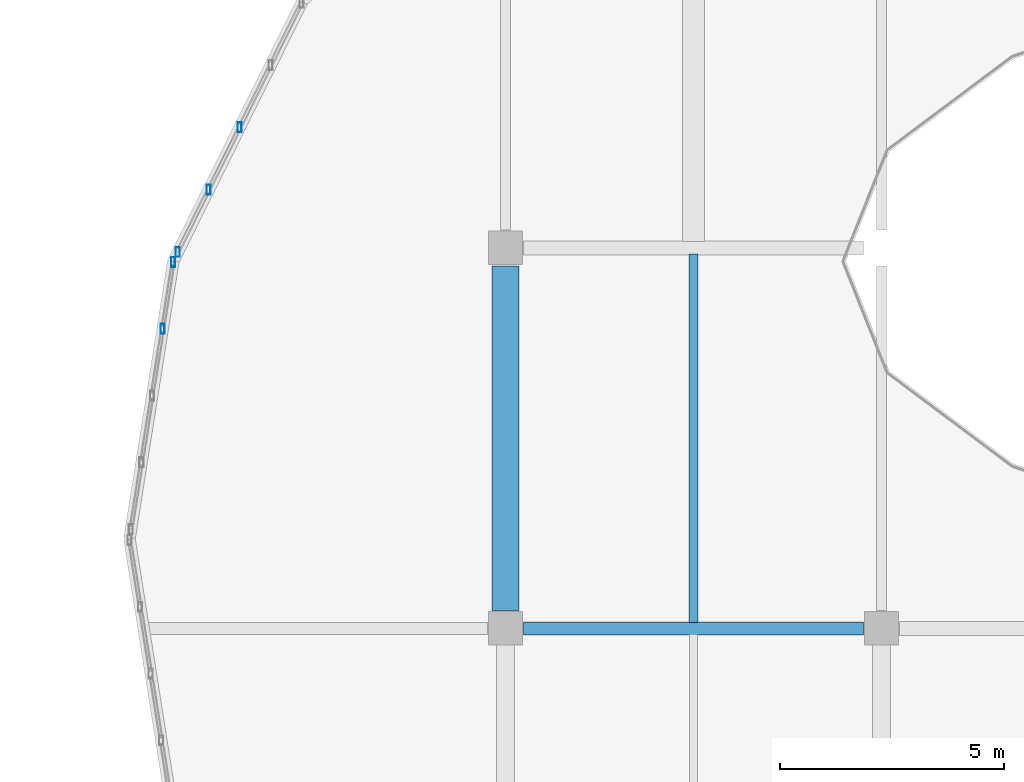
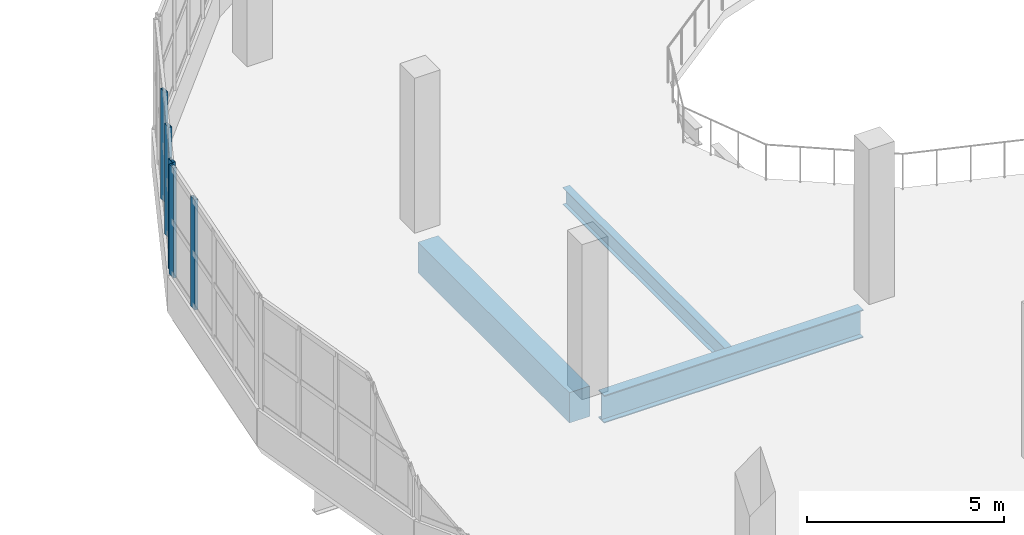
# One storey, part 15 of 117: 5 members, 3 beams, 2 elements without a shape of their own.
"""IFC4 building model written with IfcOpenShell, lengths in metres."""

from ifc_helpers import new_model, si_unit, direction, frame, origin, origin_2d, place, context, subcontext, project, spatial, rectangle, hollow_rectangle, i_section, extrude, material, material_profile, profile_set, type_object, element, aggregate, save


model = new_model("IFC4")

# Units and contexts
model_context = context("Model", 3, precision=1e-05, world=origin(), true_north=direction((0.0, 1.0)))
body_context = subcontext(model_context, "Body", "Model", "MODEL_VIEW")
ifc_project = project(units=[si_unit("LENGTHUNIT", "METRE"), si_unit("AREAUNIT", "SQUARE_METRE"), si_unit("VOLUMEUNIT", "CUBIC_METRE"), si_unit("PLANEANGLEUNIT", "RADIAN"), si_unit("MASSUNIT", "GRAM", prefix="KILO")], contexts=[model_context])

# Site, building, storey
site_placement = place(None, origin())
site = spatial("IfcSite", under=ifc_project, at=site_placement, CompositionType="ELEMENT")
building_placement = place(site_placement, origin())
building = spatial("IfcBuilding", under=site, at=building_placement, Name="Solvento Point Concert Hall", CompositionType="ELEMENT")
storey_placement = place(building_placement, frame((0.0, 0.0, 5.39990234375)))
storey = spatial("IfcBuildingStorey", under=building, at=storey_placement, Name="L01", CompositionType="ELEMENT", Elevation=5.39990234375)

# Beams
ifc_material_1 = material(Name="Structural Steel ASTM A992 Grade 50", Category="steel")
ifc_material_profile_1 = material_profile(ifc_material_1, i_section(OverallWidth=0.20947265625, OverallDepth=0.532958984375, WebThickness=0.01025390625, FlangeThickness=0.015625, at=origin_2d()), Name="W21X62")
ifc_profile_set_1 = profile_set([ifc_material_profile_1], Name="Structural Steel ASTM A992 Grade 50")
beam_type_1 = type_object("IfcBeamType", Name="Beam_W21X62", PredefinedType="BEAM", material=ifc_profile_set_1)
beam_1_placement = place(storey_placement, frame((45.0, 34.131103515625, -0.55029296875), z_axis=(0.0, 1.0, 0.0), x_axis=(-1.0, 0.0, 0.0)))
element("IfcBeam", 1, at=beam_1_placement, inside=storey, type_object=beam_type_1, Name="Secondary floor joist B-25 L01", PredefinedType="BEAM", context=body_context, shape_type="SweptSolid", body=[
    extrude(i_section(OverallWidth=0.20947265625, OverallDepth=0.532958984375, WebThickness=0.01025390625, FlangeThickness=0.015625, at=origin_2d()), origin(), (0.0, 0.0, 1.0), 8.22998046875),
])
ifc_material_2 = material(Name="Concrete C35/45", Category="concrete")
ifc_material_profile_2 = material_profile(ifc_material_2, rectangle(XDim=0.60009765625, YDim=0.93994140625, at=origin_2d()), Name="RC-BM-600X940")
ifc_profile_set_2 = profile_set([ifc_material_profile_2], Name="Concrete C35/45")
beam_type_2 = type_object("IfcBeamType", Name="Girder_RC_600x940", PredefinedType="USERDEFINED", material=ifc_profile_set_2)
beam_2_placement = place(storey_placement, frame((40.800048828125, 34.404052734375, -0.75390625), z_axis=(0.0, 1.0, 0.0), x_axis=(-1.0, 0.0, 0.0)))
element("IfcBeam", 2, at=beam_2_placement, inside=storey, type_object=beam_type_2, Name="Primary girder B-34 L01", ObjectType="GIRDER", PredefinedType="USERDEFINED", context=body_context, shape_type="SweptSolid", body=[
    extrude(rectangle(XDim=0.60009765625, YDim=0.93994140625, at=origin_2d()), origin(), (0.0, 0.0, 1.0), 7.69189453125),
])
ifc_material_3 = material(Name="Structural Steel ASTM A992 Grade 50", Category="steel")
ifc_material_profile_3 = material_profile(ifc_material_3, i_section(OverallWidth=0.2919921875, OverallDepth=0.85888671875, WebThickness=0.01708984375, FlangeThickness=0.031005859375, at=origin_2d()), Name="W33X169")
ifc_profile_set_3 = profile_set([ifc_material_profile_3], Name="Structural Steel ASTM A992 Grade 50")
beam_type_3 = type_object("IfcBeamType", Name="Girder_W33X169", PredefinedType="USERDEFINED", material=ifc_profile_set_3)
beam_3_placement = place(storey_placement, frame((41.2041015625, 34.0, -0.71337890625), z_axis=(1.0, 0.0, 0.0), x_axis=(0.0, 1.0, 0.0)))
element("IfcBeam", 3, at=beam_3_placement, inside=storey, type_object=beam_type_3, Name="Primary girder B-33 L01", ObjectType="GIRDER", PredefinedType="USERDEFINED", context=body_context, shape_type="SweptSolid", body=[
    extrude(i_section(OverallWidth=0.2919921875, OverallDepth=0.85888671875, WebThickness=0.01708984375, FlangeThickness=0.031005859375, at=origin_2d()), origin(), (0.0, 0.0, 1.0), 7.591796875),
])

# Curtain wall, members
ifc_material_4 = material(Name="Anodized Bronze Aluminium", Category="aluminium")
curtain_wall_type = type_object("IfcCurtainWallType", Name="CurtainWall_RingRibbon_L01_02", PredefinedType="USERDEFINED", material=ifc_material_4)
curtain_wall_1_placement = place(storey_placement, origin())
curtain_wall_1 = element("IfcCurtainWall", 4, at=curtain_wall_1_placement, inside=storey, type_object=curtain_wall_type, Name="Unitised curtain wall CW-59 UCW-L01-098", ObjectType="UNITISED CURTAIN WALL", PredefinedType="USERDEFINED")
ifc_material_5 = material(Name="Anodized Bronze Aluminium", Category="aluminium")
ifc_material_profile_4 = material_profile(ifc_material_5, hollow_rectangle(XDim=0.090087890625, YDim=0.219970703125, WallThickness=0.00439453125, at=origin_2d()), Name="CW-MUL-90X220")
ifc_profile_set_4 = profile_set([ifc_material_profile_4], Name="Anodized Bronze Aluminium")
member_type = type_object("IfcMemberType", Name="Mullion_90x220", PredefinedType="MULLION", material=ifc_profile_set_4)
member_1_placement = place(storey_placement, frame((33.14111328125, 40.69091796875, 1.1201171875), z_axis=(0.0, 0.0, 1.0), x_axis=(1.0, 0.0, 0.0)))
member_1 = element("IfcMember", 5, at=member_1_placement, type_object=member_type, Name="Curtain wall mullion ML-02", PredefinedType="MULLION", context=body_context, shape_type="SweptSolid", body=[
    extrude(hollow_rectangle(XDim=0.090087890625, YDim=0.219970703125, WallThickness=0.00439453125, at=origin_2d()), origin(), (0.0, 0.0, 1.0), 3.409912109375),
])
member_2_placement = place(storey_placement, frame((33.376708984375, 42.18212890625, 1.1201171875), z_axis=(0.0, 0.0, 1.0), x_axis=(1.0, 0.0, 0.0)))
member_2 = element("IfcMember", 6, at=member_2_placement, type_object=member_type, Name="Curtain wall mullion ML-02", PredefinedType="MULLION", context=body_context, shape_type="SweptSolid", body=[
    extrude(hollow_rectangle(XDim=0.090087890625, YDim=0.219970703125, WallThickness=0.00439453125, at=origin_2d()), origin(), (0.0, 0.0, 1.0), 3.409912109375),
])
aggregate(curtain_wall_1, [member_1, member_2])

curtain_wall_2_placement = place(storey_placement, origin())
curtain_wall_2 = element("IfcCurtainWall", 7, at=curtain_wall_2_placement, inside=storey, type_object=curtain_wall_type, Name="Unitised curtain wall CW-59 UCW-L01-099", ObjectType="UNITISED CURTAIN WALL", PredefinedType="USERDEFINED")
member_3_placement = place(storey_placement, frame((33.479248046875, 42.40869140625, 1.1201171875), z_axis=(0.0, 0.0, 1.0), x_axis=(1.0, 0.0, 0.0)))
member_3 = element("IfcMember", 8, at=member_3_placement, type_object=member_type, Name="Curtain wall mullion ML-02", PredefinedType="MULLION", context=body_context, shape_type="SweptSolid", body=[
    extrude(hollow_rectangle(XDim=0.090087890625, YDim=0.219970703125, WallThickness=0.00439453125, at=origin_2d()), origin(), (0.0, 0.0, 1.0), 3.409912109375),
])
member_4_placement = place(storey_placement, frame((34.170654296875, 43.7998046875, 1.1201171875), z_axis=(0.0, 0.0, 1.0), x_axis=(1.0, 0.0, 0.0)))
member_4 = element("IfcMember", 9, at=member_4_placement, type_object=member_type, Name="Curtain wall mullion ML-02", PredefinedType="MULLION", context=body_context, shape_type="SweptSolid", body=[
    extrude(hollow_rectangle(XDim=0.090087890625, YDim=0.219970703125, WallThickness=0.00439453125, at=origin_2d()), origin(), (0.0, 0.0, 1.0), 3.409912109375),
])
member_5_placement = place(storey_placement, frame((34.8623046875, 45.19091796875, 1.1201171875), z_axis=(0.0, 0.0, 1.0), x_axis=(1.0, 0.0, 0.0)))
member_5 = element("IfcMember", 10, at=member_5_placement, type_object=member_type, Name="Curtain wall mullion ML-02", PredefinedType="MULLION", context=body_context, shape_type="SweptSolid", body=[
    extrude(hollow_rectangle(XDim=0.090087890625, YDim=0.219970703125, WallThickness=0.00439453125, at=origin_2d()), origin(), (0.0, 0.0, 1.0), 3.409912109375),
])
aggregate(curtain_wall_2, [member_3, member_4, member_5])

save(model, "model.ifc")
